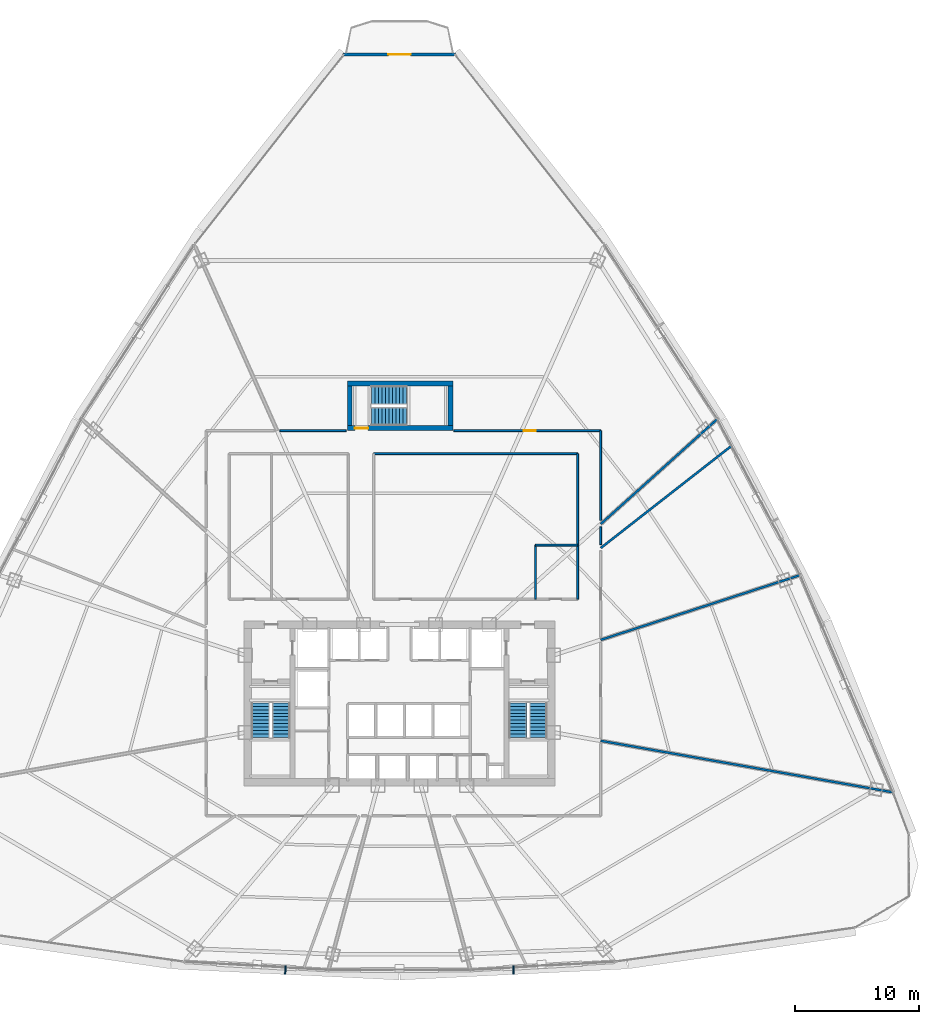
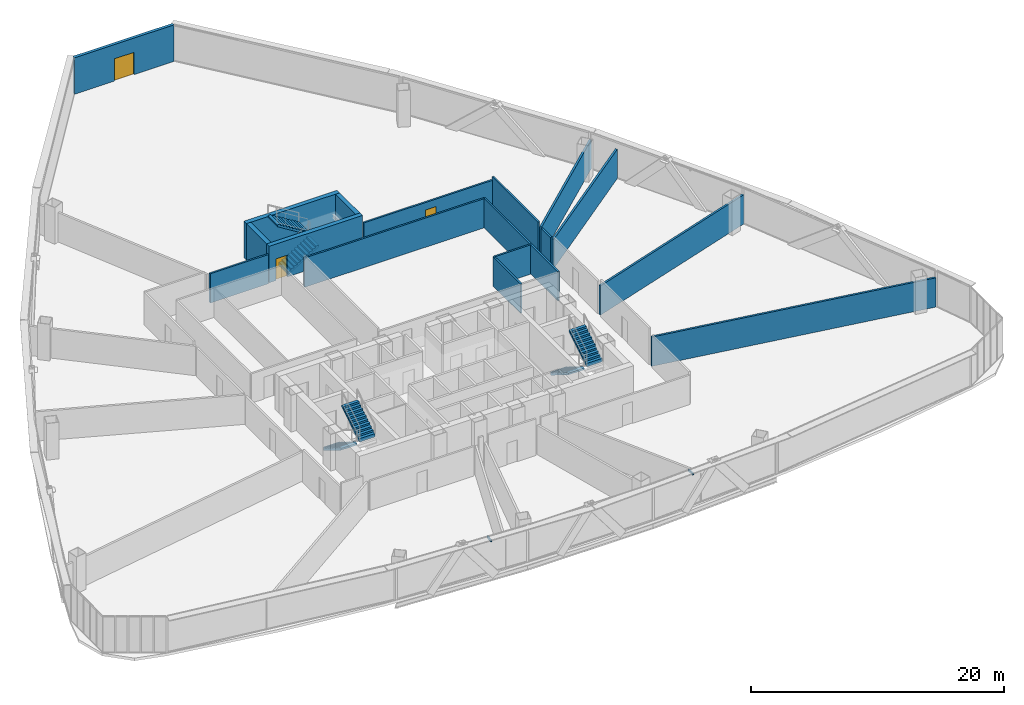
# One storey, part 36 of 41: 17 walls, 6 stair flights, 3 doors, 2 discrete accessories, 3 openings, 3 elements without a shape of their own.
"""IFC4 building model written with IfcOpenShell, lengths in metres."""

import ifcopenshell
import ifcopenshell.guid

model = None  # the IFC model being written
_history = None  # IfcOwnerHistory: only IFC2X3 demands one
_inside = {}  # id of a spatial element -> (the spatial element, [elements in it])
_under = {}  # id of a project, library or spatial element -> (it, [spatial elements below it])
_declared = {}  # id of a project -> (the project, [libraries it declares])
_typed = {}  # id of a type object -> (the type object, [elements of that type])
_made_of = {}  # id of a material, layer set ... -> (it, [elements and type objects made of it])


def new_model(schema):
    """Start an empty IFC model of exactly this schema.

    Asked for "IFC4X3", IfcOpenShell would pick the latest addendum, in which some entities
    have other attributes; the version numbers below select the first issue.
    IFC2X3 requires an IfcOwnerHistory on every rooted entity: one is made here for all.
    """
    global model, _history
    if schema == "IFC4X3":
        model = ifcopenshell.file(schema_version=(4, 3, 0, 0))
    else:
        model = ifcopenshell.file(schema=schema)
    _inside.clear()
    _under.clear()
    _declared.clear()
    _typed.clear()
    _made_of.clear()
    _history = None
    if model.schema == "IFC2X3":
        org = make("IfcOrganization", Name="unknown")
        user = make(
            "IfcPersonAndOrganization",
            ThePerson=make("IfcPerson", FamilyName="unknown"),
            TheOrganization=org,
        )
        app = make(
            "IfcApplication",
            ApplicationDeveloper=org,
            Version="unknown",
            ApplicationFullName="unknown",
            ApplicationIdentifier="unknown",
        )
        _history = make(
            "IfcOwnerHistory",
            OwningUser=user,
            OwningApplication=app,
            ChangeAction="ADDED",
            CreationDate=0,
        )
    return model


def make(cls, **values):
    """One entity of the class cls with the attributes given. An attribute that is None is left unset."""
    return model.create_entity(
        cls, **{name: value for name, value in values.items() if value is not None}
    )


def rooted(cls, **values):
    """An entity with a GlobalId (a new one), such as an element, a storey or a relation."""
    return make(cls, GlobalId=ifcopenshell.guid.new(), OwnerHistory=_history, **values)


def si_unit(unit_type, name, prefix=None):
    """IfcSIUnit, for example si_unit("LENGTHUNIT", "METRE", prefix="MILLI")."""
    return make("IfcSIUnit", UnitType=unit_type, Prefix=prefix, Name=name)


def assignment(units):
    """IfcUnitAssignment: the units of a project."""
    return None if units is None else make("IfcUnitAssignment", Units=units)


def point(xyz):
    """IfcCartesianPoint."""
    return None if xyz is None else make("IfcCartesianPoint", Coordinates=xyz)


def direction(xyz):
    """IfcDirection."""
    return None if xyz is None else make("IfcDirection", DirectionRatios=xyz)


def frame(location, z_axis=None, x_axis=None):
    """IfcAxis2Placement3D, a coordinate frame: its origin and axes. An axis left out is left unset."""
    return make(
        "IfcAxis2Placement3D",
        Location=point(location),
        Axis=direction(z_axis),
        RefDirection=direction(x_axis),
    )


def frame_2d(location, x_axis=None):
    """IfcAxis2Placement2D, a coordinate frame in the plane: its origin and x axis."""
    return make(
        "IfcAxis2Placement2D", Location=point(location), RefDirection=direction(x_axis)
    )


def origin():
    """The frame at (0, 0, 0) with its axes left unset."""
    return frame((0.0, 0.0, 0.0))


def origin_with_axes():
    """The frame at (0, 0, 0) with the z axis (0, 0, 1) and the x axis (1, 0, 0) written out."""
    return frame((0.0, 0.0, 0.0), z_axis=(0.0, 0.0, 1.0), x_axis=(1.0, 0.0, 0.0))


def origin_2d():
    """The frame at (0, 0) in the plane with its x axis left unset."""
    return frame_2d((0.0, 0.0))


def place(relative_to, where):
    """IfcLocalPlacement: puts the frame where relative to a parent placement (None: the world)."""
    return make(
        "IfcLocalPlacement", PlacementRelTo=relative_to, RelativePlacement=where
    )


def context(
    kind, dimensions, precision=None, world=None, true_north=None, identifier=None
):
    """IfcGeometricRepresentationContext, for example the 3D "Model" context."""
    return make(
        "IfcGeometricRepresentationContext",
        ContextIdentifier=identifier,
        ContextType=kind,
        CoordinateSpaceDimension=dimensions,
        Precision=precision,
        WorldCoordinateSystem=world,
        TrueNorth=true_north,
    )


def subcontext(parent, identifier, kind, view, scale=None):
    """IfcGeometricRepresentationSubContext, for example "Body" below "Model"."""
    return make(
        "IfcGeometricRepresentationSubContext",
        ContextIdentifier=identifier,
        ContextType=kind,
        ParentContext=parent,
        TargetScale=scale,
        TargetView=view,
    )


def project(units=None, contexts=None):
    """IfcProject with its units and contexts."""
    return rooted(
        "IfcProject",
        Name="project",
        RepresentationContexts=contexts,
        UnitsInContext=assignment(units),
    )


def spatial(cls, under=None, at=None, **own):
    """A site, building, storey or space (cls), placed at a placement, below another one or the project."""
    s = rooted(cls, ObjectPlacement=at, **own)
    if under is not None:
        _under.setdefault(under.id(), (under, []))[1].append(s)
    return s


def polyline(points):
    """IfcPolyline through the points."""
    return make("IfcPolyline", Points=[point(p) for p in points])


def profile(cls, at=None, kind="AREA", **sizes):
    """A parametric profile (cls). Its sizes go by their IFC names, for example OverallWidth=200.0."""
    return make(cls, ProfileType=kind, Position=at, **sizes)


def rectangle(**sizes):
    """IfcRectangleProfileDef."""
    return profile("IfcRectangleProfileDef", **sizes)


def outline(outer, holes=None, kind="AREA"):
    """IfcArbitraryClosedProfileDef: a profile drawn as a closed curve; with holes, ...WithVoids."""
    if holes is None:
        return make("IfcArbitraryClosedProfileDef", ProfileType=kind, OuterCurve=outer)
    return make(
        "IfcArbitraryProfileDefWithVoids",
        ProfileType=kind,
        OuterCurve=outer,
        InnerCurves=holes,
    )


def extrude(swept, where, along, depth):
    """IfcExtrudedAreaSolid: the profile swept, set in the frame where, extruded along a direction by depth."""
    return make(
        "IfcExtrudedAreaSolid",
        SweptArea=swept,
        Position=where,
        ExtrudedDirection=direction(along),
        Depth=depth,
    )


def shape(context_of_items, identifier, shape_type, items):
    """IfcShapeRepresentation: the items that make up one representation, for example the "Body"."""
    return make(
        "IfcShapeRepresentation",
        ContextOfItems=context_of_items,
        RepresentationIdentifier=identifier,
        RepresentationType=shape_type,
        Items=items,
    )


def source(mapping_origin, context_of_items, identifier, shape_type, items):
    """IfcRepresentationMap: a shape defined once, which mapped items show again and again."""
    return make(
        "IfcRepresentationMap",
        MappingOrigin=mapping_origin,
        MappedRepresentation=shape(context_of_items, identifier, shape_type, items),
    )


def transform(
    local_origin,
    x_axis=None,
    y_axis=None,
    z_axis=None,
    scale=None,
    scale2=None,
    scale3=None,
    uniform=True,
):
    """IfcCartesianTransformationOperator3D, or its non-uniform kind. x_axis, y_axis, z_axis: its Axis1, 2, 3."""
    if uniform:
        return make(
            "IfcCartesianTransformationOperator3D",
            Axis1=direction(x_axis),
            Axis2=direction(y_axis),
            LocalOrigin=point(local_origin),
            Scale=scale,
            Axis3=direction(z_axis),
        )
    return make(
        "IfcCartesianTransformationOperator3DnonUniform",
        Axis1=direction(x_axis),
        Axis2=direction(y_axis),
        LocalOrigin=point(local_origin),
        Scale=scale,
        Axis3=direction(z_axis),
        Scale2=scale2,
        Scale3=scale3,
    )


def mapped(mapping_source, mapping_target):
    """IfcMappedItem: shows the shape of a source again, moved by a transform."""
    return make(
        "IfcMappedItem", MappingSource=mapping_source, MappingTarget=mapping_target
    )


def material(Name=None, Category=None):
    """IfcMaterial."""
    return make("IfcMaterial", Name=Name, Category=Category)


def layer(
    of_material, thickness, ventilated=None, Name=None, Category=None, Priority=None
):
    """IfcMaterialLayer: one layer of a wall or slab, of a material (None: an air gap)."""
    return make(
        "IfcMaterialLayer",
        Material=of_material,
        LayerThickness=thickness,
        IsVentilated=ventilated,
        Name=Name,
        Category=Category,
        Priority=Priority,
    )


def layer_set(layers, Name=None):
    """IfcMaterialLayerSet."""
    return make("IfcMaterialLayerSet", MaterialLayers=layers, LayerSetName=Name)


def made_of(thing, what):
    """Note that an element or type object is made of a material, layer set ...; save() writes the relation."""
    if what is not None:
        _made_of.setdefault(what.id(), (what, []))[1].append(thing)
    return thing


def type_object(cls, material=None, **own):
    """A type object (cls), such as IfcWallType, which elements share."""
    return made_of(rooted(cls, **own), material)


def element(
    cls,
    number,
    at=None,
    inside=None,
    cuts=None,
    type_object=None,
    material=None,
    context=None,
    identifier="Body",
    shape_type=None,
    held_by="IfcProductDefinitionShape",
    body=None,
    shapes=None,
    **own,
):
    """One element of the class cls, such as IfcWall. Its Tag is "e" and its number.

    at: its placement. inside: the storey or other place that contains it. cuts: it is an
    opening in that element (IfcRelVoidsElement). A single representation is given by context,
    identifier, shape_type and body (its items); several are given by shapes. held_by: the class
    of the entity that holds the representations. save() writes the other relations.
    """
    e = rooted(cls, Tag="e%d" % number, ObjectPlacement=at, **own)
    if body is not None:
        shapes = [shape(context, identifier, shape_type, body)]
    if shapes is not None:
        e.Representation = make(held_by, Representations=shapes)
    if inside is not None:
        _inside.setdefault(inside.id(), (inside, []))[1].append(e)
    if cuts is not None:
        rooted(
            "IfcRelVoidsElement", RelatingBuildingElement=cuts, RelatedOpeningElement=e
        )
    if type_object is not None:
        _typed.setdefault(type_object.id(), (type_object, []))[1].append(e)
    return made_of(e, material)


def fill(opening, filler):
    """IfcRelFillsElement: the door or window that sits in an opening."""
    return rooted(
        "IfcRelFillsElement",
        RelatingOpeningElement=opening,
        RelatedBuildingElement=filler,
    )


def aggregate(whole, parts):
    """IfcRelAggregates: a whole, such as a stair, and the parts it consists of."""
    return rooted("IfcRelAggregates", RelatingObject=whole, RelatedObjects=parts)


def save(model, path):
    """Write the relations noted so far, then the file.

    IfcRelAggregates (storeys below a building ...), IfcRelContainedInSpatialStructure (elements
    in a storey), IfcRelDefinesByType, IfcRelAssociatesMaterial and IfcRelDeclares: one each for
    every whole, place, type object, material and project.
    """
    for whole, parts in _under.values():
        aggregate(whole, parts)
    for where, things in _inside.values():
        rooted(
            "IfcRelContainedInSpatialStructure",
            RelatedElements=things,
            RelatingStructure=where,
        )
    for kind, things in _typed.values():
        rooted("IfcRelDefinesByType", RelatedObjects=things, RelatingType=kind)
    for what, things in _made_of.values():
        rooted("IfcRelAssociatesMaterial", RelatedObjects=things, RelatingMaterial=what)
    for by, libraries in _declared.values():
        rooted("IfcRelDeclares", RelatingContext=by, RelatedDefinitions=libraries)
    model.write(path)


model = new_model("IFC4")

# Units and contexts
model_context = context("Model", 3, precision=1e-05, world=origin(), true_north=direction((0.0, 1.0)))
body_context = subcontext(model_context, "Body", "Model", "MODEL_VIEW")
ifc_project = project(units=[si_unit("LENGTHUNIT", "METRE"), si_unit("AREAUNIT", "SQUARE_METRE"), si_unit("VOLUMEUNIT", "CUBIC_METRE"), si_unit("PLANEANGLEUNIT", "RADIAN"), si_unit("MASSUNIT", "GRAM", prefix="KILO"), si_unit("THERMODYNAMICTEMPERATUREUNIT", "KELVIN"), si_unit("POWERUNIT", "WATT")], contexts=[model_context])

# Site, building, storey
site_placement = place(None, origin())
site = spatial("IfcSite", under=ifc_project, at=site_placement, CompositionType="ELEMENT")
building_placement = place(site_placement, origin())
building = spatial("IfcBuilding", under=site, at=building_placement, Name="Yunzhuo Pagoda Commons", CompositionType="ELEMENT")
storey_placement = place(building_placement, frame((0.0, 0.0, 115.3798828125)))
storey = spatial("IfcBuildingStorey", under=building, at=storey_placement, Name="L29", CompositionType="ELEMENT", Elevation=115.3798828125)

# Wall, opening, door
ifc_material_1 = material(Name="Precast concrete C40", Category="concrete")
ifc_layer_1 = layer(ifc_material_1, 0.260009765625)
ifc_layer_set_1 = layer_set([ifc_layer_1], Name="Precast concrete C40")
wall_type_1 = type_object("IfcWallType", Name="W-BAL1 Corner Balcony Threshold Wall 260", PredefinedType="STANDARD", material=ifc_layer_set_1)
wall_1_placement = place(storey_placement, frame((52.53173828125, 86.073974609375, 0.0), z_axis=(0.0, 0.0, 1.0), x_axis=(-1.0, 0.0, 0.0)))
wall_1 = element("IfcWall", 1, at=wall_1_placement, inside=storey, type_object=wall_type_1, Name="L29 corner balcony wall V3", PredefinedType="STANDARD", context=body_context, shape_type="SweptSolid", body=[
    extrude(rectangle(XDim=9.0634765625, YDim=0.260009765625, at=frame_2d((4.53173828125, 0.0))), origin(), (0.0, 0.0, 1.0), 3.52001953125),
])
opening_1_placement = place(wall_1_placement, frame((3.6318359375, 0.0, 0.0)))
opening_1 = element("IfcOpeningElement", 2, at=opening_1_placement, cuts=wall_1, Name="Opening D-BAL1", PredefinedType="OPENING", context=body_context, shape_type="SweptSolid", body=[
    extrude(rectangle(XDim=1.800048828125, YDim=2.14990234375, at=frame_2d((0.89990234375, 1.074951171875))), frame((0.0, 0.14013671875, 0.0), z_axis=(0.0, -1.0, 0.0), x_axis=(1.0, 0.0, 0.0)), (0.0, 0.0, 1.0), 0.280029296875),
])
ifc_material_2 = material(Name="Anodized aluminium frame and tempered glazed leaf", Category="aluminium")
door_type_1 = type_object("IfcDoorType", Name="D-BAL1 Corner Balcony Sliding Glazed Door 1800x2150", OperationType="DOUBLE_DOOR_SLIDING", PredefinedType="DOOR", material=ifc_material_2)
shared_shape_1 = source(origin(), body_context, "Body", "SweptSolid", [
    extrude(rectangle(XDim=1.800048828125, YDim=2.14990234375, at=frame_2d((0.89990234375, 1.074951171875))), frame((0.0, 0.02490234375, 0.0), z_axis=(0.0, -1.0, 0.0), x_axis=(1.0, 0.0, 0.0)), (0.0, 0.0, 1.0), 0.050048828125),
])
door_1_placement = place(opening_1_placement, origin_with_axes())
door_1 = element("IfcDoor", 3, at=door_1_placement, inside=storey, type_object=door_type_1, Name="L29 corner balcony sliding door V3", OperationType="DOUBLE_DOOR_SLIDING", OverallHeight=2.14990234375, OverallWidth=1.800048828125, PredefinedType="DOOR", context=body_context, shape_type="MappedRepresentation", body=[
    mapped(shared_shape_1, transform((0.0, 0.0, 0.0), scale=1.0)),
])
fill(opening_1, door_1)

# Walls
ifc_material_3 = material(Name="Gypsum plasterboard on acoustic stud")
ifc_layer_2 = layer(ifc_material_3, 0.159912109375)
ifc_layer_set_2 = layer_set([ifc_layer_2], Name="Gypsum plasterboard on acoustic stud")
wall_type_2 = type_object("IfcWallType", Name="W-COR1 Tower Rated Corridor Wall 160", PredefinedType="PARTITIONING", material=ifc_layer_set_2)
wall_2_placement = place(storey_placement, frame((45.919921875, 53.949951171875, 0.0), z_axis=(0.0, 0.0, 1.0), x_axis=(1.0, 0.0, 0.0)))
element("IfcWall", 4, at=wall_2_placement, inside=storey, type_object=wall_type_2, Name="L29 interior wall IW-L29-ISLEN", PredefinedType="PARTITIONING", context=body_context, shape_type="SweptSolid", body=[
    extrude(rectangle(XDim=16.43017578125, YDim=0.159912109375, at=frame_2d((8.215087890625, 0.0))), origin(), (0.0, 0.0, 1.0), 2.820068359375),
])
wall_3_placement = place(storey_placement, frame((62.35009765625, 42.25, 0.0), z_axis=(0.0, 0.0, 1.0), x_axis=(0.0, 1.0, 0.0)))
element("IfcWall", 5, at=wall_3_placement, inside=storey, type_object=wall_type_2, Name="L29 interior wall IW-L29-ISLEE", PredefinedType="PARTITIONING", context=body_context, shape_type="SweptSolid", body=[
    extrude(rectangle(XDim=11.699951171875, YDim=0.159912109375, at=frame_2d((5.85009765625, 0.0))), origin(), (0.0, 0.0, 1.0), 2.820068359375),
])
wall_4_placement = place(storey_placement, frame((58.949951171875, 42.25, 0.0), z_axis=(0.0, 0.0, 1.0), x_axis=(0.0, 1.0, 0.0)))
element("IfcWall", 6, at=wall_4_placement, inside=storey, type_object=wall_type_2, Name="L29 interior wall IW-L29-ISL2W", PredefinedType="PARTITIONING", context=body_context, shape_type="SweptSolid", body=[
    extrude(rectangle(XDim=4.35009765625, YDim=0.159912109375, at=frame_2d((2.175048828125, 0.0))), origin(), (0.0, 0.0, 1.0), 2.820068359375),
])
wall_5_placement = place(storey_placement, frame((58.949951171875, 46.60009765625, 0.0), z_axis=(0.0, 0.0, 1.0), x_axis=(1.0, 0.0, 0.0)))
element("IfcWall", 7, at=wall_5_placement, inside=storey, type_object=wall_type_2, Name="L29 interior wall IW-L29-ISL2N", PredefinedType="PARTITIONING", context=body_context, shape_type="SweptSolid", body=[
    extrude(rectangle(XDim=3.400146484375, YDim=0.159912109375, at=frame_2d((1.7001953125, 0.0))), origin(), (0.0, 0.0, 1.0), 2.820068359375),
])
wall_6_placement = place(storey_placement, frame((38.380126953125, 55.800048828125, 0.0), z_axis=(0.0, 0.0, 1.0), x_axis=(1.0, 0.0, 0.0)))
element("IfcWall", 8, at=wall_6_placement, inside=storey, type_object=wall_type_2, Name="L29 interior wall IW-L29-CWL06", PredefinedType="PARTITIONING", context=body_context, shape_type="SweptSolid", body=[
    extrude(rectangle(XDim=5.328857421875, YDim=0.159912109375, at=frame_2d((2.66455078125, 0.0))), origin(), (0.0, 0.0, 1.0), 2.820068359375),
])

# Wall, opening, door
wall_7_placement = place(storey_placement, frame((52.39111328125, 55.800048828125, 0.0), z_axis=(0.0, 0.0, 1.0), x_axis=(1.0, 0.0, 0.0)))
wall_7 = element("IfcWall", 9, at=wall_7_placement, inside=storey, type_object=wall_type_2, Name="L29 interior wall IW-L29-CWL07", PredefinedType="PARTITIONING", context=body_context, shape_type="SweptSolid", body=[
    extrude(rectangle(XDim=11.808837890625, YDim=0.159912109375, at=frame_2d((5.904296875, 0.0))), origin(), (0.0, 0.0, 1.0), 2.820068359375),
])
opening_2_placement = place(wall_7_placement, frame((5.623779296875, 0.0, 0.0)))
opening_2 = element("IfcOpeningElement", 10, at=opening_2_placement, cuts=wall_7, Name="Opening D-06", PredefinedType="OPENING", context=body_context, shape_type="SweptSolid", body=[
    extrude(rectangle(XDim=0.949951171875, YDim=2.10009765625, at=frame_2d((0.47509765625, 1.050048828125))), frame((0.0, 0.08984375, 0.0), z_axis=(0.0, -1.0, 0.0), x_axis=(1.0, 0.0, 0.0)), (0.0, 0.0, 1.0), 0.179931640625),
])
ifc_material_4 = material(Name="Galvanized fire-resisting metal leaf")
door_type_2 = type_object("IfcDoorType", Name="D-06 Co-Living Suite Entrance Fire Door 950x2100", OperationType="NOTDEFINED", PredefinedType="DOOR", material=ifc_material_4)
shared_shape_2 = source(origin(), body_context, "Body", "SweptSolid", [
    extrude(rectangle(XDim=0.949951171875, YDim=2.10009765625, at=frame_2d((0.47509765625, 1.050048828125))), frame((0.0, 0.02490234375, 0.0), z_axis=(0.0, -1.0, 0.0), x_axis=(1.0, 0.0, 0.0)), (0.0, 0.0, 1.0), 0.050048828125),
])
door_2_placement = place(opening_2_placement, origin_with_axes())
door_2 = element("IfcDoor", 11, at=door_2_placement, inside=storey, type_object=door_type_2, Name="L29 Shared Resident Kitchen and Pantry door", OperationType="SINGLE_SWING_LEFT", OverallHeight=2.10009765625, OverallWidth=0.949951171875, PredefinedType="DOOR", context=body_context, shape_type="MappedRepresentation", body=[
    mapped(shared_shape_2, transform((0.0, 0.0, 0.0), scale=1.0)),
])
fill(opening_2, door_2)

# Walls
wall_8_placement = place(storey_placement, frame((64.199951171875, 55.800048828125, 0.0), z_axis=(0.0, 0.0, 1.0), x_axis=(0.0, -1.0, 0.0)))
element("IfcWall", 12, at=wall_8_placement, inside=storey, type_object=wall_type_2, Name="L29 interior wall IW-L29-CWL08", PredefinedType="PARTITIONING", context=body_context, shape_type="SweptSolid", body=[
    extrude(rectangle(XDim=7.217529296875, YDim=0.159912109375, at=frame_2d((3.60888671875, 0.0))), origin(), (0.0, 0.0, 1.0), 3.1201171875),
])
wall_9_placement = place(storey_placement, frame((64.199951171875, 48.06689453125, 0.0), z_axis=(0.0, 0.0, 1.0), x_axis=(0.0, -1.0, 0.0)))
element("IfcWall", 13, at=wall_9_placement, inside=storey, type_object=wall_type_2, Name="L29 interior wall IW-L29-CWL09", PredefinedType="PARTITIONING", context=body_context, shape_type="SweptSolid", body=[
    extrude(rectangle(XDim=1.430908203125, YDim=0.159912109375, at=frame_2d((0.71533203125, 0.0))), origin(), (0.0, 0.0, 1.0), 2.820068359375),
])
ifc_layer_3 = layer(ifc_material_3, 0.179931640625)
ifc_layer_set_3 = layer_set([ifc_layer_3], Name="Gypsum plasterboard on acoustic stud")
wall_type_3 = type_object("IfcWallType", Name="W-PRT2 Acoustic Unit Demising Wall 180", PredefinedType="PARTITIONING", material=ifc_layer_set_3)
wall_10_placement = place(storey_placement, frame((64.199951171875, 38.963623046875, 0.0), z_axis=(0.0, 0.0, 1.0), x_axis=(0.951054786835, 0.309022317054, 0.0)))
element("IfcWall", 14, at=wall_10_placement, inside=storey, type_object=wall_type_3, Name="L29 interior wall IW-L29-RAD01", PredefinedType="PARTITIONING", context=body_context, shape_type="SweptSolid", body=[
    extrude(rectangle(XDim=16.884765625, YDim=0.179931640625, at=frame_2d((8.4423828125, 0.0))), origin(), (0.0, 0.0, 1.0), 2.820068359375),
])
wall_11_placement = place(storey_placement, frame((64.199951171875, 46.356689453125, 0.0), z_axis=(0.0, 0.0, 1.0), x_axis=(0.788007209352, 0.615666011738, 0.0)))
element("IfcWall", 15, at=wall_11_placement, inside=storey, type_object=wall_type_3, Name="L29 interior wall IW-L29-RAD02", PredefinedType="PARTITIONING", context=body_context, shape_type="SweptSolid", body=[
    extrude(rectangle(XDim=13.369873046875, YDim=0.179931640625, at=frame_2d((6.68505859375, 0.0))), origin(), (0.0, 0.0, 1.0), 2.820068359375),
])
wall_12_placement = place(storey_placement, frame((64.199951171875, 48.28662109375, 0.0), z_axis=(0.0, 0.0, 1.0), x_axis=(0.743140441227, 0.66913547553, 0.0)))
element("IfcWall", 16, at=wall_12_placement, inside=storey, type_object=wall_type_3, Name="L29 interior wall IW-L29-RAD03", PredefinedType="PARTITIONING", context=body_context, shape_type="SweptSolid", body=[
    extrude(rectangle(XDim=12.638427734375, YDim=0.179931640625, at=frame_2d((6.3193359375, 0.0))), origin(), (0.0, 0.0, 1.0), 2.820068359375),
])
wall_13_placement = place(storey_placement, frame((64.199951171875, 30.843505859375, 0.0), z_axis=(0.0, 0.0, 1.0), x_axis=(0.98480783024, -0.173647739683, 0.0)))
element("IfcWall", 17, at=wall_13_placement, inside=storey, type_object=wall_type_3, Name="L29 interior wall IW-L29-RAD13", PredefinedType="PARTITIONING", context=body_context, shape_type="SweptSolid", body=[
    extrude(rectangle(XDim=23.888671875, YDim=0.179931640625, at=frame_2d((11.9443359375, 0.0))), origin(), (0.0, 0.0, 1.0), 2.820068359375),
])
ifc_material_5 = material(Name="Concrete C60", Category="concrete")
ifc_layer_4 = layer(ifc_material_5, 0.39990234375)
ifc_layer_set_4 = layer_set([ifc_layer_4], Name="Concrete C60")
wall_type_4 = type_object("IfcWallType", Name="W-S01 Internal Core Shear Web 400", PredefinedType="SHEAR", material=ifc_layer_set_4)
wall_14_placement = place(storey_placement, frame((43.800048828125, 59.60009765625, 0.0), z_axis=(0.0, 0.0, 1.0), x_axis=(1.0, 0.0, 0.0)))
element("IfcWall", 18, at=wall_14_placement, inside=storey, type_object=wall_type_4, Name="L29 ST3 structural stair wall N", PredefinedType="SHEAR", context=body_context, shape_type="SweptSolid", body=[
    extrude(rectangle(XDim=8.5, YDim=0.39990234375, at=frame_2d((4.25, 0.0))), origin(), (0.0, 0.0, 1.0), 3.52001953125),
])

# Wall, opening, door
wall_15_placement = place(storey_placement, frame((43.800048828125, 56.0, 0.0), z_axis=(0.0, 0.0, 1.0), x_axis=(1.0, 0.0, 0.0)))
wall_15 = element("IfcWall", 19, at=wall_15_placement, inside=storey, type_object=wall_type_4, Name="L29 ST3 structural stair wall S", PredefinedType="SHEAR", context=body_context, shape_type="SweptSolid", body=[
    extrude(rectangle(XDim=8.5, YDim=0.39990234375, at=frame_2d((4.25, 0.0))), origin(), (0.0, 0.0, 1.0), 3.52001953125),
])
opening_3_placement = place(wall_15_placement, frame((0.6201171875, 0.0, 0.0)))
opening_3 = element("IfcOpeningElement", 20, at=opening_3_placement, cuts=wall_15, Name="Opening D-01", PredefinedType="OPENING", context=body_context, shape_type="SweptSolid", body=[
    extrude(rectangle(XDim=1.050048828125, YDim=2.10009765625, at=frame_2d((0.52490234375, 1.050048828125))), frame((0.0, 0.2099609375, 0.0), z_axis=(0.0, -1.0, 0.0), x_axis=(1.0, 0.0, 0.0)), (0.0, 0.0, 1.0), 0.419921875),
])
door_type_3 = type_object("IfcDoorType", Name="D-01 Smokeproof Stair Fire Door 1050x2100", OperationType="NOTDEFINED", PredefinedType="DOOR", material=ifc_material_4)
shared_shape_3 = source(origin(), body_context, "Body", "SweptSolid", [
    extrude(rectangle(XDim=1.050048828125, YDim=2.10009765625, at=frame_2d((0.52490234375, 1.050048828125))), frame((0.0, 0.02490234375, 0.0), z_axis=(0.0, -1.0, 0.0), x_axis=(1.0, 0.0, 0.0)), (0.0, 0.0, 1.0), 0.050048828125),
])
door_3_placement = place(opening_3_placement, frame((1.050048828125, 0.0, 0.0), z_axis=(0.0, 0.0, 1.0), x_axis=(-1.0, 0.0, 0.0)))
door_3 = element("IfcDoor", 21, at=door_3_placement, inside=storey, type_object=door_type_3, Name="L29 Stair ST3 fire door", OperationType="SINGLE_SWING_LEFT", OverallHeight=2.10009765625, OverallWidth=1.050048828125, PredefinedType="DOOR", context=body_context, shape_type="MappedRepresentation", body=[
    mapped(shared_shape_3, transform((0.0, 0.0, 0.0), scale=1.0)),
])
fill(opening_3, door_3)

# Walls
for number, where, z_axis, x_axis, name in (
    (22, (44.0, 56.199951171875, 0.0), (0.0, 0.0, 1.0), (0.0, 1.0, 0.0), "L29 ST3 structural stair wall W"),
    (23, (52.10009765625, 56.199951171875, 0.0), (0.0, 0.0, 1.0), (0.0, 1.0, 0.0), "L29 ST3 structural stair wall E"),
):
    element("IfcWall", number, at=place(storey_placement, frame(where, z_axis=z_axis, x_axis=x_axis)), inside=storey, type_object=wall_type_4, Name=name, PredefinedType="SHEAR", context=body_context, shape_type="SweptSolid", body=[
        extrude(rectangle(XDim=3.199951171875, YDim=0.39990234375, at=frame_2d((1.60009765625, 0.0))), origin(), (0.0, 0.0, 1.0), 3.52001953125),
    ])

# Stair, stair flights
ifc_material_6 = material(Name="Concrete C40", Category="concrete")
stair_type_1 = type_object("IfcStairType", Name="ST-C1 Core Smokeproof Stair ST1", PredefinedType="HALF_TURN_STAIR", material=ifc_material_6)
stair_1_placement = place(storey_placement, origin())
stair_1 = element("IfcStair", 24, at=stair_1_placement, inside=storey, type_object=stair_type_1, Name="L29 Core smokeproof stair ST1", PredefinedType="HALF_TURN_STAIR")
stair_flight_type_1 = type_object("IfcStairFlightType", Name="STF-C1 Core Stair Flight 1450", PredefinedType="STRAIGHT", material=ifc_material_6)
shared_shape_4 = source(origin(), body_context, "Body", "SweptSolid", [
    extrude(outline(polyline([(0.0, -0.14990234375), (0.0, 0.0), (0.0, 0.172607421875), (0.280029296875, 0.172607421875), (0.280029296875, 0.345458984375), (0.56005859375, 0.345458984375), (0.56005859375, 0.51806640625), (0.840087890625, 0.51806640625), (0.840087890625, 0.69091796875), (1.1201171875, 0.69091796875), (1.1201171875, 0.863525390625), (1.39990234375, 0.863525390625), (1.39990234375, 1.036376953125), (1.679931640625, 1.036376953125), (1.679931640625, 1.208984375), (1.9599609375, 1.208984375), (1.9599609375, 1.3818359375), (2.239990234375, 1.3818359375), (2.239990234375, 1.554443359375), (2.52001953125, 1.554443359375), (2.52001953125, 1.727294921875), (2.800048828125, 1.727294921875), (2.800048828125, 1.89990234375), (2.800048828125, 1.551025390625), (0.285400390625, 0.0), (0.050048828125, -0.14990234375), (0.0, -0.14990234375)])), frame((0.0, 0.72509765625, 0.0), z_axis=(0.0, -1.0, 0.0), x_axis=(1.0, 0.0, 0.0)), (0.0, 0.0, 1.0), 1.449951171875),
])
stair_flight_1_placement = place(storey_placement, frame((36.824951171875, 33.89990234375, 0.0), z_axis=(0.0, 0.0, 1.0), x_axis=(0.0, -1.0, 0.0)))
stair_flight_1 = element("IfcStairFlight", 25, at=stair_flight_1_placement, type_object=stair_flight_type_1, Name="ST1 flight 1", NumberOfRisers=11, NumberOfTreads=10, PredefinedType="STRAIGHT", RiserHeight=0.172727273, TreadLength=0.28, context=body_context, shape_type="MappedRepresentation", body=[
    mapped(shared_shape_4, transform((0.0, 0.0, 0.0), scale=1.0)),
])
stair_flight_2_placement = place(storey_placement, frame((38.47509765625, 31.10009765625, 1.900146484375), z_axis=(0.0, 0.0, 1.0), x_axis=(0.0, 1.0, 0.0)))
stair_flight_2 = element("IfcStairFlight", 26, at=stair_flight_2_placement, type_object=stair_flight_type_1, Name="ST1 flight 2", NumberOfRisers=11, NumberOfTreads=10, PredefinedType="STRAIGHT", RiserHeight=0.172727273, TreadLength=0.28, context=body_context, shape_type="MappedRepresentation", body=[
    mapped(shared_shape_4, transform((0.0, 0.0, 0.0), scale=1.0)),
])
aggregate(stair_1, [stair_flight_1, stair_flight_2])

stair_type_2 = type_object("IfcStairType", Name="ST-C2 Core Smokeproof Stair ST2", PredefinedType="HALF_TURN_STAIR", material=ifc_material_6)
stair_2_placement = place(storey_placement, origin())
stair_2 = element("IfcStair", 27, at=stair_2_placement, inside=storey, type_object=stair_type_2, Name="L29 Core smokeproof stair ST2", PredefinedType="HALF_TURN_STAIR")
stair_flight_type_2 = type_object("IfcStairFlightType", Name="STF-C2 Core Stair Flight 1460", PredefinedType="STRAIGHT", material=ifc_material_6)
stair_flight_3_placement = place(storey_placement, frame((57.52490234375, 33.89990234375, 0.0), z_axis=(0.0, 0.0, 1.0), x_axis=(0.0, -1.0, 0.0)))
stair_flight_3 = element("IfcStairFlight", 28, at=stair_flight_3_placement, type_object=stair_flight_type_2, Name="ST2 flight 1", NumberOfRisers=11, NumberOfTreads=10, PredefinedType="STRAIGHT", RiserHeight=0.172727273, TreadLength=0.28, context=body_context, shape_type="MappedRepresentation", body=[
    mapped(shared_shape_4, transform((0.0, 0.0, 0.0), scale=1.0)),
])
stair_flight_4_placement = place(storey_placement, frame((59.175048828125, 31.10009765625, 1.900146484375), z_axis=(0.0, 0.0, 1.0), x_axis=(0.0, 1.0, 0.0)))
stair_flight_4 = element("IfcStairFlight", 29, at=stair_flight_4_placement, type_object=stair_flight_type_2, Name="ST2 flight 2", NumberOfRisers=11, NumberOfTreads=10, PredefinedType="STRAIGHT", RiserHeight=0.172727273, TreadLength=0.28, context=body_context, shape_type="MappedRepresentation", body=[
    mapped(shared_shape_4, transform((0.0, 0.0, 0.0), scale=1.0)),
])
aggregate(stair_2, [stair_flight_3, stair_flight_4])

stair_type_3 = type_object("IfcStairType", Name="ST-C3 North Tower Smokeproof Stair ST3", PredefinedType="HALF_TURN_STAIR", material=ifc_material_6)
stair_3_placement = place(storey_placement, origin())
stair_3 = element("IfcStair", 30, at=stair_3_placement, inside=storey, type_object=stair_type_3, Name="L29 North tower smokeproof stair ST3", PredefinedType="HALF_TURN_STAIR")
stair_flight_type_3 = type_object("IfcStairFlightType", Name="STF-C3 North Stair Flight 1500", PredefinedType="STRAIGHT", material=ifc_material_6)
shared_shape_5 = source(origin(), body_context, "Body", "SweptSolid", [
    extrude(outline(polyline([(0.0, -0.14990234375), (0.0, 0.0), (0.0, 0.172607421875), (0.280029296875, 0.172607421875), (0.280029296875, 0.345458984375), (0.56005859375, 0.345458984375), (0.56005859375, 0.51806640625), (0.840087890625, 0.51806640625), (0.840087890625, 0.69091796875), (1.1201171875, 0.69091796875), (1.1201171875, 0.863525390625), (1.39990234375, 0.863525390625), (1.39990234375, 1.036376953125), (1.679931640625, 1.036376953125), (1.679931640625, 1.208984375), (1.9599609375, 1.208984375), (1.9599609375, 1.3818359375), (2.239990234375, 1.3818359375), (2.239990234375, 1.554443359375), (2.52001953125, 1.554443359375), (2.52001953125, 1.727294921875), (2.800048828125, 1.727294921875), (2.800048828125, 1.89990234375), (2.800048828125, 1.551025390625), (0.285400390625, 0.0), (0.050048828125, -0.14990234375), (0.0, -0.14990234375)])), frame((0.0, 0.75, 0.0), z_axis=(0.0, -1.0, 0.0), x_axis=(1.0, 0.0, 0.0)), (0.0, 0.0, 1.0), 1.5),
])
stair_flight_5_placement = place(storey_placement, frame((45.75, 56.949951171875, 0.0), z_axis=(0.0, 0.0, 1.0), x_axis=(1.0, 0.0, 0.0)))
stair_flight_5 = element("IfcStairFlight", 31, at=stair_flight_5_placement, type_object=stair_flight_type_3, Name="ST3 flight 1", NumberOfRisers=11, NumberOfTreads=10, PredefinedType="STRAIGHT", RiserHeight=0.172727273, TreadLength=0.28, context=body_context, shape_type="MappedRepresentation", body=[
    mapped(shared_shape_5, transform((0.0, 0.0, 0.0), scale=1.0)),
])
stair_flight_6_placement = place(storey_placement, frame((48.550048828125, 58.64990234375, 1.900146484375), z_axis=(0.0, 0.0, 1.0), x_axis=(-1.0, 0.0, 0.0)))
stair_flight_6 = element("IfcStairFlight", 32, at=stair_flight_6_placement, type_object=stair_flight_type_3, Name="ST3 flight 2", NumberOfRisers=11, NumberOfTreads=10, PredefinedType="STRAIGHT", RiserHeight=0.172727273, TreadLength=0.28, context=body_context, shape_type="MappedRepresentation", body=[
    mapped(shared_shape_5, transform((0.0, 0.0, 0.0), scale=1.0)),
])
aggregate(stair_3, [stair_flight_5, stair_flight_6])

# Discrete accessories
ifc_material_7 = material(Name="Anodized aluminium 6063-T6", Category="aluminium")
discrete_accessory_type = type_object("IfcDiscreteAccessoryType", Name="BK-SUN1 Sunshade Outrigger Bracket", PredefinedType="BRACKET", material=ifc_material_7)
shared_shape_6 = source(origin(), body_context, "Body", "SweptSolid", [
    extrude(rectangle(XDim=0.1201171875, YDim=0.679931640625, at=origin_2d()), origin(), (0.0, 0.0, 1.0), 0.179931640625),
])
for number, where, z_axis, x_axis, name in (
    (33, (38.81884765625, 12.4013671875, 3.31005859375), (0.0, 0.0, 1.0), (0.998818043775, -0.04860571396, 0.0), "L29 sunshade outrigger bracket F1.2"),
    (34, (57.18115234375, 12.4013671875, 3.31005859375), (0.0, 0.0, 1.0), (0.998818043775, 0.04860571396, 0.0), "L29 sunshade outrigger bracket F1.3"),
):
    element("IfcDiscreteAccessory", number, at=place(storey_placement, frame(where, z_axis=z_axis, x_axis=x_axis)), inside=storey, type_object=discrete_accessory_type, Name=name, PredefinedType="BRACKET", context=body_context, shape_type="MappedRepresentation", body=[
        mapped(shared_shape_6, transform((0.0, 0.0, 0.0), scale=1.0)),
    ])

save(model, "model.ifc")
